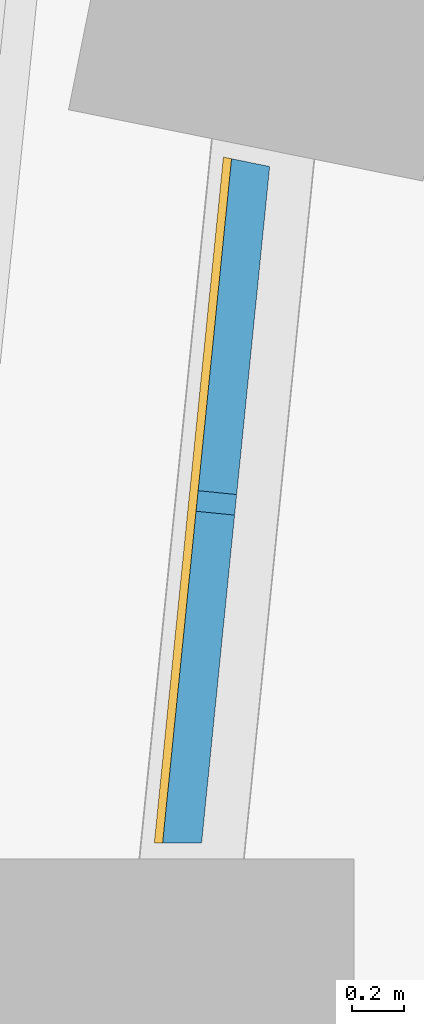
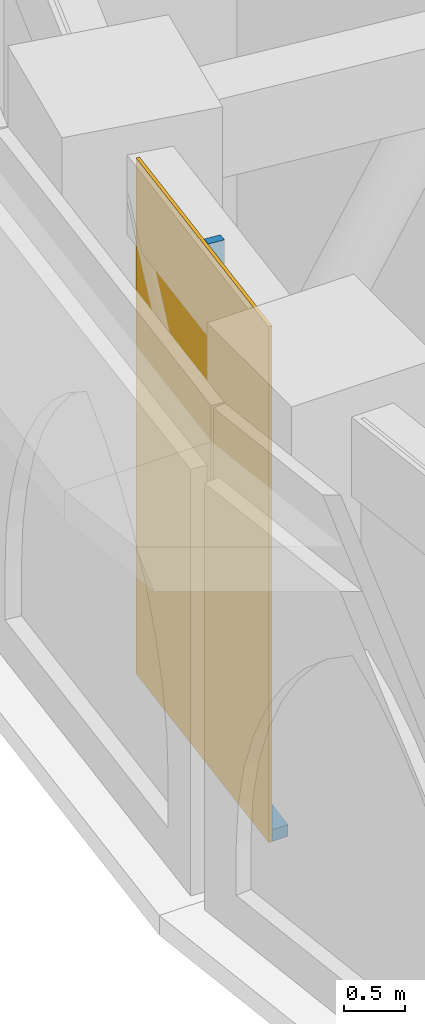
# One storey, part 13 of 25: 2 members, 1 curtain wall.
"""IFC4 building model written with IfcOpenShell, lengths in metres."""

from ifc_helpers import new_model, si_unit, direction, frame, origin, origin_2d, place, context, subcontext, project, spatial, polyline, rectangle, outline, extrude, material, layer, layer_set, material_profile, profile_set, type_object, element, aggregate, save


model = new_model("IFC4")

# Units and contexts
model_context = context("Model", 3, precision=1e-05, world=origin(), true_north=direction((0.0, 1.0)))
body_context = subcontext(model_context, "Body", "Model", "MODEL_VIEW")
ifc_project = project(units=[si_unit("LENGTHUNIT", "METRE"), si_unit("AREAUNIT", "SQUARE_METRE"), si_unit("VOLUMEUNIT", "CUBIC_METRE"), si_unit("PLANEANGLEUNIT", "RADIAN"), si_unit("MASSUNIT", "GRAM", prefix="KILO")], contexts=[model_context])

# Member
ifc_material_1 = material(Name="Aluminium 6063-T6 black anodised", Category="aluminium")
ifc_material_profile = material_profile(ifc_material_1, rectangle(XDim=0.14990234375, YDim=0.080078125, at=origin_2d()), Name="150x80")
ifc_profile_set = profile_set([ifc_material_profile], Name="Aluminium 6063-T6 black anodised")
member_type_1 = type_object("IfcMemberType", Name="ENV-MULLION-B-150", PredefinedType="MULLION", material=ifc_profile_set)
site_placement = place(None, origin())
building_placement = place(site_placement, origin())
storey_placement = place(building_placement, frame((0.0, 0.0, 82.5)))
member_1_placement = place(storey_placement, frame((-34.778564453125, 2.07958984375, 0.1201171875), z_axis=(0.0, 0.0, 1.0), x_axis=(0.994969504864, -0.100178263068, 0.0)))
member_1 = element("IfcMember", 1, at=member_1_placement, type_object=member_type_1, Name="Mullion B chord 23", PredefinedType="MULLION", context=body_context, shape_type="SweptSolid", body=[
    extrude(rectangle(XDim=0.14990234375, YDim=0.080078125, at=origin_2d()), origin(), (0.0, 0.0, 1.0), 5.079833984375),
])

ifc_material_2 = material(Name="Aluminium 6063-T6 black anodised", Category="aluminium")
member_type_2 = type_object("IfcMemberType", Name="ENV-TRANSOM-B", PredefinedType="USERDEFINED", material=ifc_material_2)
member_2_placement = place(storey_placement, origin())
member_2 = element("IfcMember", 2, at=member_2_placement, type_object=member_type_2, Name="Transom B radial 23-24", ObjectType="TRANSOM", PredefinedType="USERDEFINED", context=body_context, shape_type="SweptSolid", body=[
    extrude(outline(polyline([(-34.7197265625, 3.41259765625), (-34.986572265625, 0.7626953125), (-34.835693359375, 0.7626953125), (-34.572021484375, 3.3828125), (-34.7197265625, 3.41259765625)])), origin(), (0.0, 0.0, 1.0), 0.1201171875),
])

# Site, building, storey
site = spatial("IfcSite", under=ifc_project, at=site_placement, CompositionType="ELEMENT")
building = spatial("IfcBuilding", under=site, at=building_placement, Name="Noorbagh Ring Tower", CompositionType="ELEMENT")
storey = spatial("IfcBuildingStorey", under=building, at=storey_placement, Name="L18", CompositionType="ELEMENT", Elevation=82.5)

# Curtain wall
ifc_material_3 = material(Name="Glass dark tinted laminated", Category="glass")
ifc_layer = layer(ifc_material_3, 0.031982421875)
ifc_layer_set = layer_set([ifc_layer], Name="Glass dark tinted laminated")
curtain_wall_type = type_object("IfcCurtainWallType", Name="ENV-CW-B", PredefinedType="NOTDEFINED", material=ifc_layer_set)
curtain_wall_placement = place(storey_placement, origin())
curtain_wall = element("IfcCurtainWall", 3, at=curtain_wall_placement, inside=storey, type_object=curtain_wall_type, Name="Curtain wall B R23", PredefinedType="NOTDEFINED", context=body_context, shape_type="SweptSolid", body=[
    extrude(outline(polyline([(-34.751220703125, 3.4189453125), (-35.018798828125, 0.7626953125), (-34.986572265625, 0.7626953125), (-34.7197265625, 3.41259765625), (-34.751220703125, 3.4189453125)])), origin(), (0.0, 0.0, 1.0), 5.199951171875),
])

aggregate(curtain_wall, [member_1, member_2])

save(model, "model.ifc")
